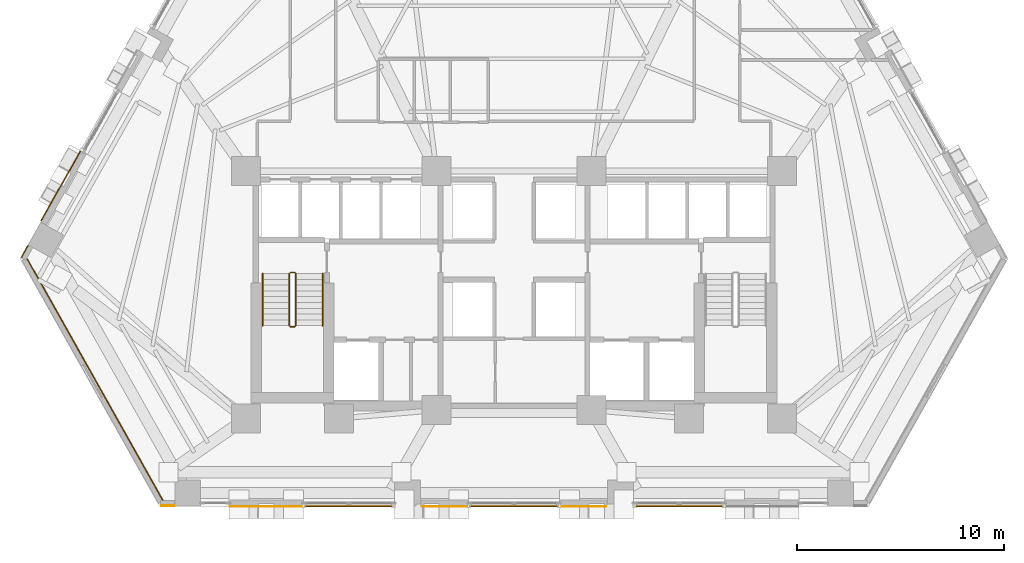
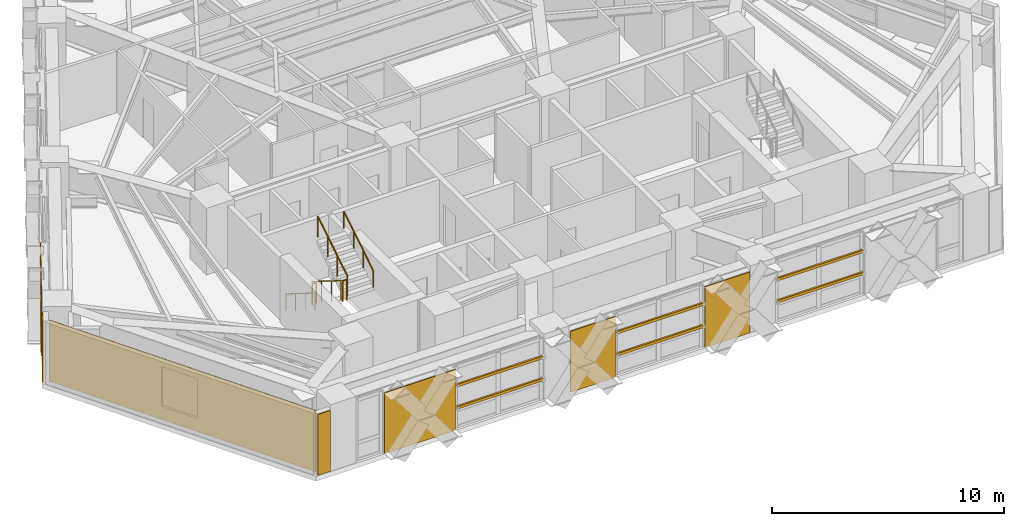
# One storey, part 11 of 14: 7 coverings, 6 railings, 6 shading devices.
"""IFC4 building model written with IfcOpenShell, lengths in metres."""

from ifc_helpers import new_model, si_unit, direction, frame, origin, origin_2d, place, context, subcontext, project, spatial, polyline, rectangle, circle, outline, extrude, material, layer, layer_set, material_profile, profile_set, type_object, element, save


model = new_model("IFC4")

# Units and contexts
model_context = context("Model", 3, precision=1e-05, world=origin(), true_north=direction((0.0, 1.0)))
body_context = subcontext(model_context, "Body", "Model", "MODEL_VIEW")
ifc_project = project(units=[si_unit("LENGTHUNIT", "METRE"), si_unit("AREAUNIT", "SQUARE_METRE"), si_unit("VOLUMEUNIT", "CUBIC_METRE"), si_unit("PLANEANGLEUNIT", "RADIAN"), si_unit("MASSUNIT", "GRAM", prefix="KILO")], contexts=[model_context])

# Site, building, storey
site_placement = place(None, origin())
site = spatial("IfcSite", under=ifc_project, at=site_placement, CompositionType="ELEMENT")
building_placement = place(site_placement, origin())
building = spatial("IfcBuilding", under=site, at=building_placement, Name="Quenlor Broadcast Tower", CompositionType="ELEMENT")
storey_placement = place(building_placement, frame((0.0, 0.0, 73.10009765625)))
storey = spatial("IfcBuildingStorey", under=building, at=storey_placement, Name="L19", CompositionType="ELEMENT", Elevation=73.10009765625)

# Shading devices
ifc_material_1 = material(Name="Architectural Terracotta Ceramic", Category="masonry")
ifc_material_profile = material_profile(ifc_material_1, rectangle(XDim=0.090087890625, YDim=0.139892578125, at=origin_2d()))
ifc_profile_set = profile_set([ifc_material_profile], Name="Architectural Terracotta Ceramic BAG90x140")
shading_device_type = type_object("IfcShadingDeviceType", Name="Copper Terracotta Baguette Solar Screen 140", PredefinedType="USERDEFINED", material=ifc_profile_set)
for number, where, z_axis, x_axis, name in (
    (1, (10.134765625, -20.98291015625, 1.169921875), (-1.0, 0.0, 0.0), (0.0, -1.0, 0.0), "L19 Terracotta Baguette Screen 1"),
    (2, (10.134765625, -20.98291015625, 2.33984375), (-1.0, 0.0, 0.0), (0.0, -1.0, 0.0), "L19 Terracotta Baguette Screen 2"),
    (3, (-5.830810546875, -20.98291015625, 1.169921875), (-1.0, 0.0, 0.0), (0.0, -1.0, 0.0), "L19 Terracotta Baguette Screen 1"),
    (4, (-5.830810546875, -20.98291015625, 2.33984375), (-1.0, 0.0, 0.0), (0.0, -1.0, 0.0), "L19 Terracotta Baguette Screen 2"),
):
    element("IfcShadingDevice", number, at=place(storey_placement, frame(where, z_axis=z_axis, x_axis=x_axis)), inside=storey, type_object=shading_device_type, Name=name, ObjectType="BAGUETTE", PredefinedType="USERDEFINED", context=body_context, shape_type="SweptSolid", body=[
        extrude(rectangle(XDim=0.090087890625, YDim=0.139892578125, at=origin_2d()), origin(), (0.0, 0.0, 1.0), 4.303955078125),
    ])
for number, where, z_axis, x_axis, name in (
    (5, (2.154296875, -20.98291015625, 1.169921875), (-1.0, 0.0, 0.0), (0.0, -1.0, 0.0), "L19 Terracotta Baguette Screen 1"),
    (6, (2.154296875, -20.98291015625, 2.33984375), (-1.0, 0.0, 0.0), (0.0, -1.0, 0.0), "L19 Terracotta Baguette Screen 2"),
):
    element("IfcShadingDevice", number, at=place(storey_placement, frame(where, z_axis=z_axis, x_axis=x_axis)), inside=storey, type_object=shading_device_type, Name=name, ObjectType="BAGUETTE", PredefinedType="USERDEFINED", context=body_context, shape_type="SweptSolid", body=[
        extrude(rectangle(XDim=0.090087890625, YDim=0.139892578125, at=origin_2d()), origin(), (0.0, 0.0, 1.0), 4.30859375),
    ])

# Coverings
ifc_material_2 = material(Name="Architectural Terracotta Ceramic", Category="masonry")
ifc_layer = layer(ifc_material_2, 0.044921875)
ifc_layer_set = layer_set([ifc_layer], Name="Fluted Terracotta Rainscreen Cladding Panel")
covering_type = type_object("IfcCoveringType", Name="Fluted Terracotta Rainscreen Cladding Panel", PredefinedType="CLADDING", material=ifc_layer_set)
covering_1_placement = place(storey_placement, frame((0.0, 0.0, 0.02001953125)))
element("IfcCovering", 7, at=covering_1_placement, inside=storey, type_object=covering_type, Name="L19 Terracotta Rainscreen Cladding L19-SHD-SS1", PredefinedType="CLADDING", context=body_context, shape_type="SweptSolid", body=[
    extrude(outline(polyline([(-16.425048828125, -20.951904296875), (-17.0458984375, -20.951904296875), (-17.0458984375, -20.9970703125), (-16.425048828125, -20.9970703125), (-16.425048828125, -20.951904296875)])), origin(), (0.0, 0.0, 1.0), 3.2099609375),
])
covering_2_placement = place(storey_placement, frame((0.0, 0.0, 0.02001953125)))
element("IfcCovering", 8, at=covering_2_placement, inside=storey, type_object=covering_type, Name="L19 Terracotta Rainscreen Cladding L19-SC-SP1", PredefinedType="CLADDING", context=body_context, shape_type="SweptSolid", body=[
    extrude(outline(polyline([(-10.20458984375, -20.98193359375), (-13.73681640625, -20.98193359375), (-13.73681640625, -21.027099609375), (-10.20458984375, -21.027099609375), (-10.20458984375, -20.98193359375)])), origin(), (0.0, 0.0, 1.0), 3.2099609375),
])
covering_3_placement = place(storey_placement, frame((0.0, 0.0, 0.02001953125)))
element("IfcCovering", 9, at=covering_3_placement, inside=storey, type_object=covering_type, Name="L19 Terracotta Rainscreen Cladding L19-S-SP1", PredefinedType="CLADDING", context=body_context, shape_type="SweptSolid", body=[
    extrude(outline(polyline([(4.4658203125, -20.98193359375), (2.22412109375, -20.98193359375), (2.22412109375, -21.027099609375), (4.4658203125, -21.027099609375), (4.4658203125, -20.98193359375)])), origin(), (0.0, 0.0, 1.0), 3.2099609375),
])
covering_4_placement = place(storey_placement, frame((0.0, 0.0, 0.02001953125)))
element("IfcCovering", 10, at=covering_4_placement, inside=storey, type_object=covering_type, Name="L19 Terracotta Rainscreen Cladding L19-S-SP2", PredefinedType="CLADDING", context=body_context, shape_type="SweptSolid", body=[
    extrude(outline(polyline([(-2.22412109375, -20.98193359375), (-4.4658203125, -20.98193359375), (-4.4658203125, -21.027099609375), (-2.22412109375, -21.027099609375), (-2.22412109375, -20.98193359375)])), origin(), (0.0, 0.0, 1.0), 3.2099609375),
])
covering_5_placement = place(storey_placement, frame((0.0, 0.0, 0.02001953125)))
element("IfcCovering", 11, at=covering_5_placement, inside=storey, type_object=covering_type, Name="L19 Terracotta Rainscreen Cladding L19-SHD-NWS0", PredefinedType="CLADDING", context=body_context, shape_type="SweptSolid", body=[
    extrude(outline(polyline([(-23.781982421875, -8.97705078125), (-23.464111328125, -8.412109375), (-23.50341796875, -8.39013671875), (-23.8212890625, -8.955078125), (-23.781982421875, -8.97705078125)])), origin(), (0.0, 0.0, 1.0), 3.2099609375),
])
covering_6_placement = place(storey_placement, frame((0.0, 0.0, 0.02001953125)))
element("IfcCovering", 12, at=covering_6_placement, inside=storey, type_object=covering_type, Name="L19 Terracotta Rainscreen Cladding L19-NWA-SP1", PredefinedType="CLADDING", context=body_context, shape_type="SweptSolid", body=[
    extrude(outline(polyline([(-22.83349609375, -7.2294921875), (-20.9228515625, -3.8330078125), (-20.962158203125, -3.81103515625), (-22.872802734375, -7.20751953125), (-22.83349609375, -7.2294921875)])), origin(), (0.0, 0.0, 1.0), 3.2099609375),
])
covering_7_placement = place(storey_placement, frame((0.0, 0.0, 0.02001953125)))
element("IfcCovering", 13, at=covering_7_placement, inside=storey, type_object=covering_type, Name="L19 Terracotta Rainscreen Cladding L19-CNR-04", PredefinedType="CLADDING", context=body_context, shape_type="SweptSolid", body=[
    extrude(outline(polyline([(-23.547607421875, -9.046875), (-16.98388671875, -20.71533203125), (-16.94482421875, -20.693359375), (-23.50830078125, -9.02490234375), (-23.547607421875, -9.046875)])), origin(), (0.0, 0.0, 1.0), 3.2099609375),
])

# Railings
ifc_material_3 = material(Name="Anodised Aluminium", Category="aluminium")
railing_type_1 = type_object("IfcRailingType", Name="Stainless Aluminium Wall Handrail 900", PredefinedType="HANDRAIL", material=ifc_material_3)
railing_1_placement = place(storey_placement, frame((-12.14990234375, -9.75, 0.1748046875)))
element("IfcRailing", 14, at=railing_1_placement, inside=storey, type_object=railing_type_1, Name="L19 ST-1 stair handrail 1", PredefinedType="HANDRAIL", context=body_context, shape_type="SweptSolid", body=[
    extrude(circle(Radius=0.02392578125, at=origin_2d()), frame((0.0, 0.0, 0.8759765625), z_axis=(0.0, -0.847970611238, 0.530043245855), x_axis=(1.0, 0.0, 0.0)), (0.0, 0.0, 1.0), 2.971923828125),
    extrude(circle(Radius=0.02099609375, at=origin_2d()), origin(), (0.0, 0.0, 1.0), 0.851806640625),
    extrude(circle(Radius=0.02099609375, at=origin_2d()), frame((0.0, -0.840087890625, 0.525146484375)), (0.0, 0.0, 1.0), 0.851806640625),
    extrude(circle(Radius=0.02099609375, at=origin_2d()), frame((0.0, -1.679931640625, 1.050048828125)), (0.0, 0.0, 1.0), 0.851806640625),
    extrude(circle(Radius=0.02099609375, at=origin_2d()), frame((0.0, -2.52001953125, 1.5751953125)), (0.0, 0.0, 1.0), 0.851806640625),
])
railing_2_placement = place(storey_placement, frame((-9.25, -12.27001953125, 1.9248046875)))
element("IfcRailing", 15, at=railing_2_placement, inside=storey, type_object=railing_type_1, Name="L19 ST-1 stair handrail 2", PredefinedType="HANDRAIL", context=body_context, shape_type="SweptSolid", body=[
    extrude(circle(Radius=0.02392578125, at=origin_2d()), frame((0.0, 0.0, 0.8759765625), z_axis=(0.0, 0.847970611238, 0.530043245855), x_axis=(-1.0, 0.0, 0.0)), (0.0, 0.0, 1.0), 2.971923828125),
    extrude(circle(Radius=0.02099609375, at=origin_2d()), origin(), (0.0, 0.0, 1.0), 0.851806640625),
    extrude(circle(Radius=0.02099609375, at=origin_2d()), frame((0.0, 0.840087890625, 0.525146484375)), (0.0, 0.0, 1.0), 0.851806640625),
    extrude(circle(Radius=0.02099609375, at=origin_2d()), frame((0.0, 1.679931640625, 1.050048828125)), (0.0, 0.0, 1.0), 0.851806640625),
    extrude(circle(Radius=0.02099609375, at=origin_2d()), frame((0.0, 2.52001953125, 1.5751953125)), (0.0, 0.0, 1.0), 0.851806640625),
])
ifc_material_4 = material(Name="Steel S355", Category="steel")
railing_type_2 = type_object("IfcRailingType", Name="Tubular Steel S355 Stair Guardrail 1100", PredefinedType="BALUSTRADE", material=ifc_material_4)
railing_3_placement = place(storey_placement, frame((-10.85009765625, -9.75, 0.1748046875)))
element("IfcRailing", 16, at=railing_3_placement, inside=storey, type_object=railing_type_2, Name="L19 ST-1 stair guard 1", PredefinedType="BALUSTRADE", context=body_context, shape_type="SweptSolid", body=[
    extrude(circle(Radius=0.02392578125, at=origin_2d()), frame((0.0, 0.0, 1.076171875), z_axis=(0.0, -0.847970611238, 0.530043245855), x_axis=(1.0, 0.0, 0.0)), (0.0, 0.0, 1.0), 2.971923828125),
    extrude(circle(Radius=0.02099609375, at=origin_2d()), origin(), (0.0, 0.0, 1.0), 1.052001953125),
    extrude(circle(Radius=0.02099609375, at=origin_2d()), frame((0.0, -0.840087890625, 0.525146484375)), (0.0, 0.0, 1.0), 1.052001953125),
    extrude(circle(Radius=0.02099609375, at=origin_2d()), frame((0.0, -1.679931640625, 1.050048828125)), (0.0, 0.0, 1.0), 1.052001953125),
    extrude(circle(Radius=0.02099609375, at=origin_2d()), frame((0.0, -2.52001953125, 1.5751953125)), (0.0, 0.0, 1.0), 1.052001953125),
])
railing_4_placement = place(storey_placement, frame((-10.800048828125, -12.320068359375, 1.75)))
element("IfcRailing", 17, at=railing_4_placement, inside=storey, type_object=railing_type_2, Name="L19 ST-1 stair guard 2", PredefinedType="BALUSTRADE", context=body_context, shape_type="SweptSolid", body=[
    extrude(circle(Radius=0.02392578125, at=origin_2d()), frame((0.0, 0.0, 1.076171875), z_axis=(1.0, 0.0, 0.0), x_axis=(0.0, 1.0, 0.0)), (0.0, 0.0, 1.0), 0.199951171875),
    extrude(circle(Radius=0.02099609375, at=origin_2d()), origin(), (0.0, 0.0, 1.0), 1.052001953125),
    extrude(circle(Radius=0.02099609375, at=origin_2d()), frame((0.199951171875, 0.0, 0.0)), (0.0, 0.0, 1.0), 1.052001953125),
])
railing_5_placement = place(storey_placement, frame((-10.550048828125, -12.27001953125, 1.9248046875)))
element("IfcRailing", 18, at=railing_5_placement, inside=storey, type_object=railing_type_2, Name="L19 ST-1 stair guard 3", PredefinedType="BALUSTRADE", context=body_context, shape_type="SweptSolid", body=[
    extrude(circle(Radius=0.02392578125, at=origin_2d()), frame((0.0, 0.0, 1.076171875), z_axis=(0.0, 0.847970611238, 0.530043245855), x_axis=(-1.0, 0.0, 0.0)), (0.0, 0.0, 1.0), 2.971923828125),
    extrude(circle(Radius=0.02099609375, at=origin_2d()), origin(), (0.0, 0.0, 1.0), 1.052001953125),
    extrude(circle(Radius=0.02099609375, at=origin_2d()), frame((0.0, 0.840087890625, 0.525146484375)), (0.0, 0.0, 1.0), 1.052001953125),
    extrude(circle(Radius=0.02099609375, at=origin_2d()), frame((0.0, 1.679931640625, 1.050048828125)), (0.0, 0.0, 1.0), 1.052001953125),
    extrude(circle(Radius=0.02099609375, at=origin_2d()), frame((0.0, 2.52001953125, 1.5751953125)), (0.0, 0.0, 1.0), 1.052001953125),
])
railing_6_placement = place(storey_placement, frame((-10.800048828125, -9.699951171875, 0.0)))
element("IfcRailing", 19, at=railing_6_placement, inside=storey, type_object=railing_type_2, Name="L19 ST-1 stair guard 4", PredefinedType="BALUSTRADE", context=body_context, shape_type="SweptSolid", body=[
    extrude(circle(Radius=0.02392578125, at=origin_2d()), frame((0.0, 0.0, 1.076171875), z_axis=(1.0, 0.0, 0.0), x_axis=(0.0, 1.0, 0.0)), (0.0, 0.0, 1.0), 0.199951171875),
    extrude(circle(Radius=0.02099609375, at=origin_2d()), origin(), (0.0, 0.0, 1.0), 1.052001953125),
    extrude(circle(Radius=0.02099609375, at=origin_2d()), frame((0.199951171875, 0.0, 0.0)), (0.0, 0.0, 1.0), 1.052001953125),
])

save(model, "model.ifc")
